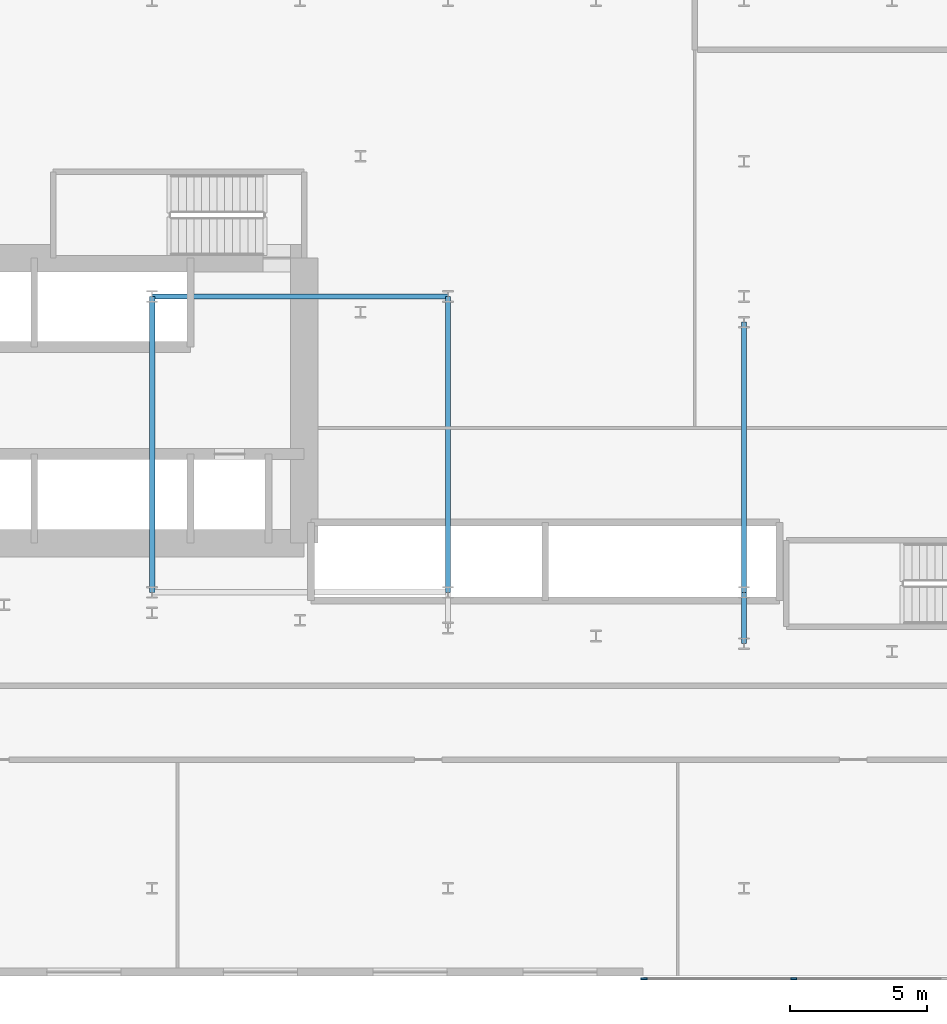
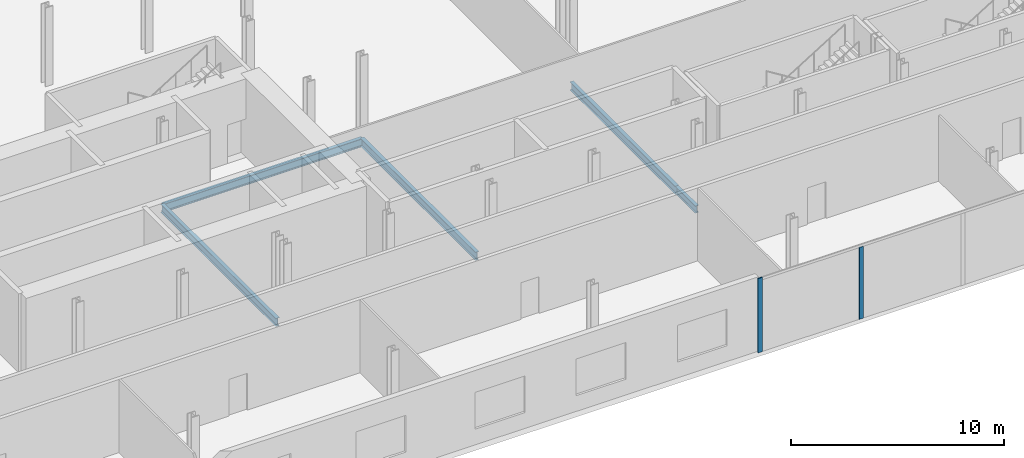
# One storey, part 8 of 47: 5 beams, 2 members, 1 element without a shape of its own.
"""IFC4 building model written with IfcOpenShell, lengths in metres."""

from ifc_helpers import new_model, si_unit, direction, frame, origin, origin_2d, place, context, subcontext, project, spatial, rectangle, i_section, extrude, material, layer, layer_set, material_profile, profile_set, type_object, element, aggregate, save


model = new_model("IFC4")

# Units and contexts
model_context = context("Model", 3, precision=1e-05, world=origin(), true_north=direction((0.0, 1.0)))
body_context = subcontext(model_context, "Body", "Model", "MODEL_VIEW")
ifc_project = project(units=[si_unit("LENGTHUNIT", "METRE"), si_unit("AREAUNIT", "SQUARE_METRE"), si_unit("VOLUMEUNIT", "CUBIC_METRE"), si_unit("PLANEANGLEUNIT", "RADIAN"), si_unit("MASSUNIT", "GRAM", prefix="KILO")], contexts=[model_context])

# Site, building, storey
site_placement = place(None, origin())
site = spatial("IfcSite", under=ifc_project, at=site_placement, CompositionType="ELEMENT")
building_placement = place(site_placement, origin())
building = spatial("IfcBuilding", under=site, at=building_placement, Name="Kheshtan School and Residences Tower", CompositionType="ELEMENT")
storey_placement = place(building_placement, frame((0.0, 0.0, 12.5)))
storey = spatial("IfcBuildingStorey", under=building, at=storey_placement, Name="L02", CompositionType="ELEMENT", Elevation=12.5)

# Beams
ifc_material_1 = material(Name="Steel ASTM A992 Grade 50", Category="steel")
ifc_material_profile_1 = material_profile(ifc_material_1, i_section(OverallWidth=0.180908203125, OverallDepth=0.4169921875, WebThickness=0.010986328125, FlangeThickness=0.018310546875, FilletRadius=0.012451171875, at=origin_2d()), Name="W410x85")
ifc_profile_set_1 = profile_set([ifc_material_profile_1], Name="Steel ASTM A992 Grade 50")
beam_type_1 = type_object("IfcBeamType", Name="Beam PB1 W410x85 ASTM A992 Grade 50", PredefinedType="BEAM", material=ifc_profile_set_1)
beam_1_placement = place(storey_placement, frame((69.199951171875, 22.1298828125, -0.528564453125), z_axis=(0.0, 1.0, 0.0), x_axis=(-1.0, 0.0, 0.0)))
element("IfcBeam", 1, at=beam_1_placement, inside=storey, type_object=beam_type_1, Name="Podium floor beam PB1", PredefinedType="BEAM", context=body_context, shape_type="SweptSolid", body=[
    extrude(i_section(OverallWidth=0.180908203125, OverallDepth=0.4169921875, WebThickness=0.010986328125, FlangeThickness=0.018310546875, FilletRadius=0.012451171875, at=origin_2d()), origin(), (0.0, 0.0, 1.0), 1.8701171875),
])
ifc_material_profile_2 = material_profile(ifc_material_1, i_section(OverallWidth=0.194091796875, OverallDepth=0.468994140625, WebThickness=0.0126953125, FlangeThickness=0.0205078125, FilletRadius=0.01416015625, at=origin_2d()), Name="W460x106")
ifc_profile_set_2 = profile_set([ifc_material_profile_2], Name="Steel ASTM A992 Grade 50")
beam_type_2 = type_object("IfcBeamType", Name="Beam PB2 W460x106 ASTM A992 Grade 50", PredefinedType="BEAM", material=ifc_profile_set_2)
for number, where, z_axis, x_axis, name in (
    (2, (47.60009765625, 24.0, -0.554443359375), (0.0, 1.0, 0.0), (-1.0, 0.0, 0.0), "Podium floor beam PB2"),
    (3, (58.39990234375, 24.0, -0.554443359375), (0.0, 1.0, 0.0), (-1.0, 0.0, 0.0), "Podium floor beam PB2"),
):
    element("IfcBeam", number, at=place(storey_placement, frame(where, z_axis=z_axis, x_axis=x_axis)), inside=storey, type_object=beam_type_2, Name=name, PredefinedType="BEAM", context=body_context, shape_type="SweptSolid", body=[
        extrude(i_section(OverallWidth=0.194091796875, OverallDepth=0.468994140625, WebThickness=0.0126953125, FlangeThickness=0.0205078125, FilletRadius=0.01416015625, at=origin_2d()), origin(), (0.0, 0.0, 1.0), 10.800048828125),
    ])
beam_2_placement = place(storey_placement, frame((69.199951171875, 24.0, -0.554443359375), z_axis=(0.0, 1.0, 0.0), x_axis=(-1.0, 0.0, 0.0)))
element("IfcBeam", 4, at=beam_2_placement, inside=storey, type_object=beam_type_2, Name="Podium floor beam PB2", PredefinedType="BEAM", context=body_context, shape_type="SweptSolid", body=[
    extrude(i_section(OverallWidth=0.194091796875, OverallDepth=0.468994140625, WebThickness=0.0126953125, FlangeThickness=0.0205078125, FilletRadius=0.01416015625, at=origin_2d()), origin(), (0.0, 0.0, 1.0), 9.860107421875),
])
beam_3_placement = place(storey_placement, frame((47.60009765625, 34.800048828125, -0.554443359375), z_axis=(1.0, 0.0, 0.0), x_axis=(0.0, 1.0, 0.0)))
element("IfcBeam", 5, at=beam_3_placement, inside=storey, type_object=beam_type_2, Name="Podium floor beam PB2", PredefinedType="BEAM", context=body_context, shape_type="SweptSolid", body=[
    extrude(i_section(OverallWidth=0.194091796875, OverallDepth=0.468994140625, WebThickness=0.0126953125, FlangeThickness=0.0205078125, FilletRadius=0.01416015625, at=origin_2d()), origin(), (0.0, 0.0, 1.0), 10.7998046875),
])

# Curtain wall, members
ifc_material_2 = material(Name="Clear low-e glass in thermally broken aluminium frame", Category="aluminium")
ifc_layer = layer(ifc_material_2, 0.22509765625)
ifc_layer_set = layer_set([ifc_layer], Name="Curtain wall CW-P")
curtain_wall_type = type_object("IfcCurtainWallType", Name="Curtain wall CW-P", PredefinedType="NOTDEFINED", material=ifc_layer_set)
curtain_wall_placement = place(storey_placement, origin())
curtain_wall = element("IfcCurtainWall", 6, at=curtain_wall_placement, inside=storey, type_object=curtain_wall_type, Name="Curtain wall CWP12a", PredefinedType="NOTDEFINED")
ifc_material_3 = material(Name="Thermally broken aluminium, dark bronze anodised", Category="aluminium")
ifc_material_profile_3 = material_profile(ifc_material_3, rectangle(XDim=0.06005859375, YDim=0.22509765625, at=origin_2d()), Name="CW-P mullion 60x225")
ifc_profile_set_3 = profile_set([ifc_material_profile_3], Name="Thermally broken aluminium, dark bronze anodised")
member_type = type_object("IfcMemberType", Name="CW-P mullion 60x225", PredefinedType="MULLION", material=ifc_profile_set_3)
member_1_placement = place(storey_placement, frame((71.01806640625, 9.89990234375, 0.0), z_axis=(0.0, 0.0, 1.0), x_axis=(0.0, -1.0, 0.0)))
member_1 = element("IfcMember", 7, at=member_1_placement, type_object=member_type, Name="CWP12a mullion 11", PredefinedType="MULLION", context=body_context, shape_type="SweptSolid", body=[
    extrude(rectangle(XDim=0.06005859375, YDim=0.22509765625, at=origin_2d()), origin(), (0.0, 0.0, 1.0), 4.110107421875),
])
member_2_placement = place(storey_placement, frame((65.550048828125, 9.89990234375, 0.0), z_axis=(0.0, 0.0, 1.0), x_axis=(0.0, -1.0, 0.0)))
member_2 = element("IfcMember", 8, at=member_2_placement, type_object=member_type, Name="CWP12a mullion 12", PredefinedType="MULLION", context=body_context, shape_type="SweptSolid", body=[
    extrude(rectangle(XDim=0.06005859375, YDim=0.22509765625, at=origin_2d()), origin(), (0.0, 0.0, 1.0), 4.25),
])
aggregate(curtain_wall, [member_1, member_2])

save(model, "model.ifc")
